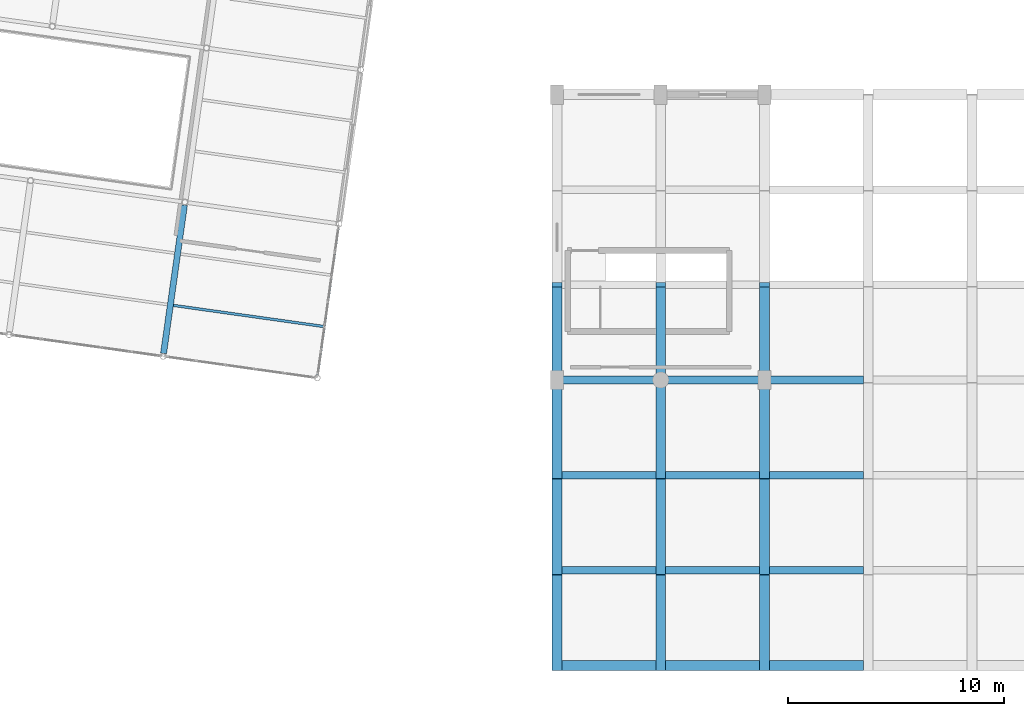
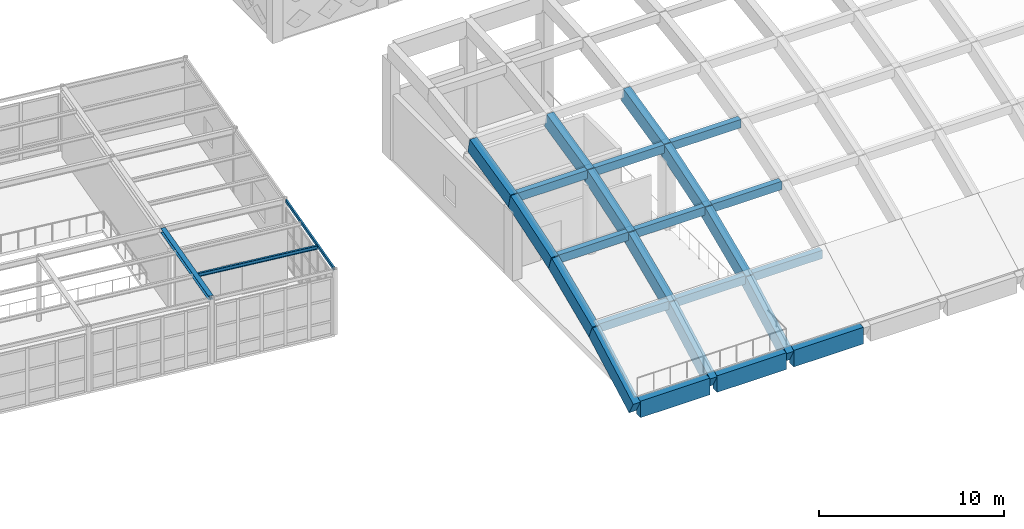
# One storey, part 24 of 67: 27 beams.
"""IFC4 building model written with IfcOpenShell, lengths in metres."""

from ifc_helpers import new_model, si_unit, direction, frame, origin, origin_2d, place, context, subcontext, project, spatial, rectangle, hollow_rectangle, i_section, extrude, material, material_profile, profile_set, type_object, element, save


model = new_model("IFC4")

# Units and contexts
model_context = context("Model", 3, precision=1e-05, world=origin(), true_north=direction((0.0, 1.0)))
body_context = subcontext(model_context, "Body", "Model", "MODEL_VIEW")
ifc_project = project(units=[si_unit("LENGTHUNIT", "METRE"), si_unit("AREAUNIT", "SQUARE_METRE"), si_unit("VOLUMEUNIT", "CUBIC_METRE"), si_unit("PLANEANGLEUNIT", "RADIAN"), si_unit("MASSUNIT", "GRAM", prefix="KILO")], contexts=[model_context])

# Site, building, storey
site_placement = place(None, origin())
site = spatial("IfcSite", under=ifc_project, at=site_placement, CompositionType="ELEMENT")
building_placement = place(site_placement, origin())
building = spatial("IfcBuilding", under=site, at=building_placement, Name="Kharisveld Research Institute", CompositionType="ELEMENT")
storey_placement = place(building_placement, frame((0.0, 0.0, 9.60009765625)))
storey = spatial("IfcBuildingStorey", under=building, at=storey_placement, Name="L02", CompositionType="ELEMENT", Elevation=9.60009765625)

# Beams
ifc_material_1 = material(Name="Concrete C40/50", Category="concrete")
ifc_material_profile_1 = material_profile(ifc_material_1, rectangle(XDim=0.35009765625, YDim=0.550048828125, at=origin_2d()))
ifc_profile_set_1 = profile_set([ifc_material_profile_1], Name="Concrete C40/50")
beam_type_1 = type_object("IfcBeamType", Name="BM_RC_350x550", PredefinedType="BEAM", material=ifc_profile_set_1)
for number, where, z_axis, x_axis, name in (
    (1, (114.824951171875, 4.60009765625, 1.895263671875), (1.0, 0.0, 0.0), (0.0, 1.0, 0.0), "BM:V5:L02:SHELLLON_S1_1"),
    (2, (119.625, 4.60009765625, 1.895263671875), (1.0, 0.0, 0.0), (0.0, 1.0, 0.0), "BM:V5:L02:SHELLLON_S1_2"),
):
    element("IfcBeam", number, at=place(storey_placement, frame(where, z_axis=z_axis, x_axis=x_axis)), inside=storey, type_object=beam_type_1, Name=name, PredefinedType="BEAM", context=body_context, shape_type="SweptSolid", body=[
        extrude(rectangle(XDim=0.35009765625, YDim=0.550048828125, at=origin_2d()), origin(), (0.0, 0.0, 1.0), 4.35009765625),
    ])
beam_1_placement = place(storey_placement, frame((124.425048828125, 4.60009765625, 1.895263671875), z_axis=(1.0, 0.0, 0.0), x_axis=(0.0, 1.0, 0.0)))
element("IfcBeam", 3, at=beam_1_placement, inside=storey, type_object=beam_type_1, Name="BM:V5:L02:SHELLLON_S1_3", PredefinedType="BEAM", context=body_context, shape_type="SweptSolid", body=[
    extrude(rectangle(XDim=0.35009765625, YDim=0.550048828125, at=origin_2d()), origin(), (0.0, 0.0, 1.0), 4.349853515625),
])
for number, where, z_axis, x_axis, name in (
    (4, (114.824951171875, 9.0, 3.782470703125), (1.0, 0.0, 0.0), (0.0, 1.0, 0.0), "BM:V5:L02:SHELLLON_S2_1"),
    (5, (119.625, 9.0, 3.782470703125), (1.0, 0.0, 0.0), (0.0, 1.0, 0.0), "BM:V5:L02:SHELLLON_S2_2"),
):
    element("IfcBeam", number, at=place(storey_placement, frame(where, z_axis=z_axis, x_axis=x_axis)), inside=storey, type_object=beam_type_1, Name=name, PredefinedType="BEAM", context=body_context, shape_type="SweptSolid", body=[
        extrude(rectangle(XDim=0.35009765625, YDim=0.550048828125, at=origin_2d()), origin(), (0.0, 0.0, 1.0), 4.35009765625),
    ])
beam_2_placement = place(storey_placement, frame((124.425048828125, 9.0, 3.782470703125), z_axis=(1.0, 0.0, 0.0), x_axis=(0.0, 1.0, 0.0)))
element("IfcBeam", 6, at=beam_2_placement, inside=storey, type_object=beam_type_1, Name="BM:V5:L02:SHELLLON_S2_3", PredefinedType="BEAM", context=body_context, shape_type="SweptSolid", body=[
    extrude(rectangle(XDim=0.35009765625, YDim=0.550048828125, at=origin_2d()), origin(), (0.0, 0.0, 1.0), 4.349853515625),
])
for number, where, z_axis, x_axis, name in (
    (7, (114.824951171875, 13.39990234375, 5.214111328125), (1.0, 0.0, 0.0), (0.0, 1.0, 0.0), "BM:V5:L02:SHELLLON_S3_1"),
    (8, (119.625, 13.39990234375, 5.214111328125), (1.0, 0.0, 0.0), (0.0, 1.0, 0.0), "BM:V5:L02:SHELLLON_S3_2"),
):
    element("IfcBeam", number, at=place(storey_placement, frame(where, z_axis=z_axis, x_axis=x_axis)), inside=storey, type_object=beam_type_1, Name=name, PredefinedType="BEAM", context=body_context, shape_type="SweptSolid", body=[
        extrude(rectangle(XDim=0.35009765625, YDim=0.550048828125, at=origin_2d()), origin(), (0.0, 0.0, 1.0), 4.35009765625),
    ])
beam_3_placement = place(storey_placement, frame((124.425048828125, 13.39990234375, 5.214111328125), z_axis=(1.0, 0.0, 0.0), x_axis=(0.0, 1.0, 0.0)))
element("IfcBeam", 9, at=beam_3_placement, inside=storey, type_object=beam_type_1, Name="BM:V5:L02:SHELLLON_S3_3", PredefinedType="BEAM", context=body_context, shape_type="SweptSolid", body=[
    extrude(rectangle(XDim=0.35009765625, YDim=0.550048828125, at=origin_2d()), origin(), (0.0, 0.0, 1.0), 4.349853515625),
])
ifc_material_2 = material(Name="Steel S355JR", Category="steel")
ifc_material_profile_2 = material_profile(ifc_material_2, i_section(OverallWidth=0.280029296875, OverallDepth=0.27001953125, WebThickness=0.008056640625, FlangeThickness=0.012939453125, at=origin_2d()))
ifc_profile_set_2 = profile_set([ifc_material_profile_2], Name="Steel S355JR")
beam_type_2 = type_object("IfcBeamType", Name="BM_ST_HEA280", PredefinedType="BEAM", material=ifc_profile_set_2)
beam_4_placement = place(storey_placement, frame((96.40869140625, 14.629150390625, 4.169921875), z_axis=(0.139185706405, 0.99026629708, 0.0), x_axis=(-0.99026629708, 0.139185706405, 0.0)))
element("IfcBeam", 10, at=beam_4_placement, inside=storey, type_object=beam_type_2, Name="BM:V4:L02:V3_0", PredefinedType="BEAM", context=body_context, shape_type="SweptSolid", body=[
    extrude(i_section(OverallWidth=0.280029296875, OverallDepth=0.27001953125, WebThickness=0.008056640625, FlangeThickness=0.012939453125, at=origin_2d()), origin(), (0.0, 0.0, 1.0), 6.9267578125),
])
ifc_material_3 = material(Name="Concrete C40/50", Category="concrete")
ifc_material_profile_3 = material_profile(ifc_material_3, rectangle(XDim=0.449951171875, YDim=1.10009765625, at=origin_2d()))
ifc_profile_set_3 = profile_set([ifc_material_profile_3], Name="Concrete C40/50")
beam_type_3 = type_object("IfcBeamType", Name="EB_RC_450x1100", PredefinedType="BEAM", material=ifc_profile_set_3)
for number, where, z_axis, x_axis, name in (
    (11, (114.824951171875, 0.199951171875, -0.780029296875), (1.0, 0.0, 0.0), (0.0, 1.0, 0.0), "BM:V5:L02:SHELLLON_S0_1"),
    (12, (119.625, 0.199951171875, -0.780029296875), (1.0, 0.0, 0.0), (0.0, 1.0, 0.0), "BM:V5:L02:SHELLLON_S0_2"),
):
    element("IfcBeam", number, at=place(storey_placement, frame(where, z_axis=z_axis, x_axis=x_axis)), inside=storey, type_object=beam_type_3, Name=name, PredefinedType="BEAM", context=body_context, shape_type="SweptSolid", body=[
        extrude(rectangle(XDim=0.449951171875, YDim=1.10009765625, at=origin_2d()), origin(), (0.0, 0.0, 1.0), 4.35009765625),
    ])
beam_5_placement = place(storey_placement, frame((124.425048828125, 0.199951171875, -0.780029296875), z_axis=(1.0, 0.0, 0.0), x_axis=(0.0, 1.0, 0.0)))
element("IfcBeam", 13, at=beam_5_placement, inside=storey, type_object=beam_type_3, Name="BM:V5:L02:SHELLLON_S0_3", PredefinedType="BEAM", context=body_context, shape_type="SweptSolid", body=[
    extrude(rectangle(XDim=0.449951171875, YDim=1.10009765625, at=origin_2d()), origin(), (0.0, 0.0, 1.0), 4.349853515625),
])
ifc_material_4 = material(Name="Steel S355JR", Category="steel")
ifc_material_profile_4 = material_profile(ifc_material_4, i_section(OverallWidth=0.1201171875, OverallDepth=0.239990234375, WebThickness=0.006103515625, FlangeThickness=0.009765625, at=origin_2d()))
ifc_profile_set_4 = profile_set([ifc_material_profile_4], Name="Steel S355JR")
beam_type_4 = type_object("IfcBeamType", Name="JS_ST_IPE240", PredefinedType="JOIST", material=ifc_profile_set_4)
beam_6_placement = place(storey_placement, frame((96.862548828125, 16.85107421875, 4.184814453125), z_axis=(0.990268056996, -0.139173184531, 0.0), x_axis=(0.139173184531, 0.990268056996, 0.0)))
element("IfcBeam", 14, at=beam_6_placement, inside=storey, type_object=beam_type_4, Name="BM:V4:L02:J_3_0_R1", PredefinedType="JOIST", context=body_context, shape_type="SweptSolid", body=[
    extrude(i_section(OverallWidth=0.1201171875, OverallDepth=0.239990234375, WebThickness=0.006103515625, FlangeThickness=0.009765625, at=origin_2d()), origin(), (0.0, 0.0, 1.0), 7.009765625),
])
ifc_material_5 = material(Name="Steel S355J2H", Category="steel")
ifc_material_profile_5 = material_profile(ifc_material_5, hollow_rectangle(XDim=0.10009765625, YDim=0.199951171875, WallThickness=0.008056640625, at=origin_2d()))
ifc_profile_set_5 = profile_set([ifc_material_profile_5], Name="Steel S355J2H")
beam_type_5 = type_object("IfcBeamType", Name="SP_ST_RHS200", PredefinedType="SPANDREL", material=ifc_profile_set_5)
beam_7_placement = place(storey_placement, frame((103.538818359375, 13.626953125, 4.204833984375), z_axis=(0.13914628651, 0.990271836897, 0.0), x_axis=(-0.990271836897, 0.13914628651, 0.0)))
element("IfcBeam", 15, at=beam_7_placement, inside=storey, type_object=beam_type_5, Name="BM:V4:L02:V4_0", PredefinedType="SPANDREL", context=body_context, shape_type="SweptSolid", body=[
    extrude(hollow_rectangle(XDim=0.10009765625, YDim=0.199951171875, WallThickness=0.008056640625, at=origin_2d()), origin(), (0.0, 0.0, 1.0), 6.927001953125),
])
ifc_material_6 = material(Name="Concrete C40/50", Category="concrete")
ifc_material_profile_6 = material_profile(ifc_material_6, rectangle(XDim=0.449951171875, YDim=0.949951171875, at=origin_2d()))
ifc_profile_set_6 = profile_set([ifc_material_profile_6], Name="Concrete C40/50")
beam_type_6 = type_object("IfcBeamType", Name="SR_RC_450x950", PredefinedType="BEAM", material=ifc_profile_set_6)
beam_8_placement = place(storey_placement, frame((114.60009765625, 0.199951171875, -0.705078125), z_axis=(0.0, 0.877869511128, 0.47889990753), x_axis=(-1.0, 0.0, 0.0)))
element("IfcBeam", 16, at=beam_8_placement, inside=storey, type_object=beam_type_6, Name="BM:V5:L02:ARCHRIB_R1_S1", PredefinedType="BEAM", context=body_context, shape_type="SweptSolid", body=[
    extrude(rectangle(XDim=0.449951171875, YDim=0.949951171875, at=origin_2d()), origin(), (0.0, 0.0, 1.0), 5.01220703125),
])
beam_9_placement = place(storey_placement, frame((114.60009765625, 4.60009765625, 1.6953125), z_axis=(0.0, 0.919047406281, 0.394147009386), x_axis=(-1.0, 0.0, 0.0)))
element("IfcBeam", 17, at=beam_9_placement, inside=storey, type_object=beam_type_6, Name="BM:V5:L02:ARCHRIB_R1_S2", PredefinedType="BEAM", context=body_context, shape_type="SweptSolid", body=[
    extrude(rectangle(XDim=0.449951171875, YDim=0.949951171875, at=origin_2d()), origin(), (0.0, 0.0, 1.0), 4.787353515625),
])
beam_10_placement = place(storey_placement, frame((114.60009765625, 9.0, 3.582275390625), z_axis=(0.0, 0.950912241118, 0.309460675517), x_axis=(-1.0, 0.0, 0.0)))
element("IfcBeam", 18, at=beam_10_placement, inside=storey, type_object=beam_type_6, Name="BM:V5:L02:ARCHRIB_R1_S3", PredefinedType="BEAM", context=body_context, shape_type="SweptSolid", body=[
    extrude(rectangle(XDim=0.449951171875, YDim=0.949951171875, at=origin_2d()), origin(), (0.0, 0.0, 1.0), 4.626953125),
])
beam_11_placement = place(storey_placement, frame((114.60009765625, 13.39990234375, 5.01416015625), z_axis=(0.0, 0.974428542345, 0.224697609831), x_axis=(-1.0, 0.0, 0.0)))
element("IfcBeam", 19, at=beam_11_placement, inside=storey, type_object=beam_type_6, Name="BM:V5:L02:ARCHRIB_R1_S4", PredefinedType="BEAM", context=body_context, shape_type="SweptSolid", body=[
    extrude(rectangle(XDim=0.449951171875, YDim=0.949951171875, at=origin_2d()), origin(), (0.0, 0.0, 1.0), 4.515625),
])
beam_12_placement = place(storey_placement, frame((119.39990234375, 0.199951171875, -0.705078125), z_axis=(0.0, 0.877869511128, 0.47889990753), x_axis=(-1.0, 0.0, 0.0)))
element("IfcBeam", 20, at=beam_12_placement, inside=storey, type_object=beam_type_6, Name="BM:V5:L02:ARCHRIB_R2_S1", PredefinedType="BEAM", context=body_context, shape_type="SweptSolid", body=[
    extrude(rectangle(XDim=0.449951171875, YDim=0.949951171875, at=origin_2d()), origin(), (0.0, 0.0, 1.0), 5.01220703125),
])
beam_13_placement = place(storey_placement, frame((119.39990234375, 4.60009765625, 1.6953125), z_axis=(0.0, 0.919047406281, 0.394147009386), x_axis=(-1.0, 0.0, 0.0)))
element("IfcBeam", 21, at=beam_13_placement, inside=storey, type_object=beam_type_6, Name="BM:V5:L02:ARCHRIB_R2_S2", PredefinedType="BEAM", context=body_context, shape_type="SweptSolid", body=[
    extrude(rectangle(XDim=0.449951171875, YDim=0.949951171875, at=origin_2d()), origin(), (0.0, 0.0, 1.0), 4.787353515625),
])
beam_14_placement = place(storey_placement, frame((119.39990234375, 9.0, 3.582275390625), z_axis=(0.0, 0.950912241118, 0.309460675517), x_axis=(-1.0, 0.0, 0.0)))
element("IfcBeam", 22, at=beam_14_placement, inside=storey, type_object=beam_type_6, Name="BM:V5:L02:ARCHRIB_R2_S3", PredefinedType="BEAM", context=body_context, shape_type="SweptSolid", body=[
    extrude(rectangle(XDim=0.449951171875, YDim=0.949951171875, at=origin_2d()), origin(), (0.0, 0.0, 1.0), 4.626953125),
])
beam_15_placement = place(storey_placement, frame((119.39990234375, 13.39990234375, 5.01416015625), z_axis=(0.0, 0.974428542345, 0.224697609831), x_axis=(-1.0, 0.0, 0.0)))
element("IfcBeam", 23, at=beam_15_placement, inside=storey, type_object=beam_type_6, Name="BM:V5:L02:ARCHRIB_R2_S4", PredefinedType="BEAM", context=body_context, shape_type="SweptSolid", body=[
    extrude(rectangle(XDim=0.449951171875, YDim=0.949951171875, at=origin_2d()), origin(), (0.0, 0.0, 1.0), 4.515625),
])
beam_16_placement = place(storey_placement, frame((124.199951171875, 0.199951171875, -0.705078125), z_axis=(0.0, 0.877869511128, 0.47889990753), x_axis=(-1.0, 0.0, 0.0)))
element("IfcBeam", 24, at=beam_16_placement, inside=storey, type_object=beam_type_6, Name="BM:V5:L02:ARCHRIB_R3_S1", PredefinedType="BEAM", context=body_context, shape_type="SweptSolid", body=[
    extrude(rectangle(XDim=0.449951171875, YDim=0.949951171875, at=origin_2d()), origin(), (0.0, 0.0, 1.0), 5.01220703125),
])
beam_17_placement = place(storey_placement, frame((124.199951171875, 4.60009765625, 1.6953125), z_axis=(0.0, 0.919047406281, 0.394147009386), x_axis=(-1.0, 0.0, 0.0)))
element("IfcBeam", 25, at=beam_17_placement, inside=storey, type_object=beam_type_6, Name="BM:V5:L02:ARCHRIB_R3_S2", PredefinedType="BEAM", context=body_context, shape_type="SweptSolid", body=[
    extrude(rectangle(XDim=0.449951171875, YDim=0.949951171875, at=origin_2d()), origin(), (0.0, 0.0, 1.0), 4.787353515625),
])
beam_18_placement = place(storey_placement, frame((124.199951171875, 9.0, 3.582275390625), z_axis=(0.0, 0.950912241118, 0.309460675517), x_axis=(-1.0, 0.0, 0.0)))
element("IfcBeam", 26, at=beam_18_placement, inside=storey, type_object=beam_type_6, Name="BM:V5:L02:ARCHRIB_R3_S3", PredefinedType="BEAM", context=body_context, shape_type="SweptSolid", body=[
    extrude(rectangle(XDim=0.449951171875, YDim=0.949951171875, at=origin_2d()), origin(), (0.0, 0.0, 1.0), 4.626953125),
])
beam_19_placement = place(storey_placement, frame((124.199951171875, 13.39990234375, 5.01416015625), z_axis=(0.0, 0.974428542345, 0.224697609831), x_axis=(-1.0, 0.0, 0.0)))
element("IfcBeam", 27, at=beam_19_placement, inside=storey, type_object=beam_type_6, Name="BM:V5:L02:ARCHRIB_R3_S4", PredefinedType="BEAM", context=body_context, shape_type="SweptSolid", body=[
    extrude(rectangle(XDim=0.449951171875, YDim=0.949951171875, at=origin_2d()), origin(), (0.0, 0.0, 1.0), 4.515625),
])

save(model, "model.ifc")
